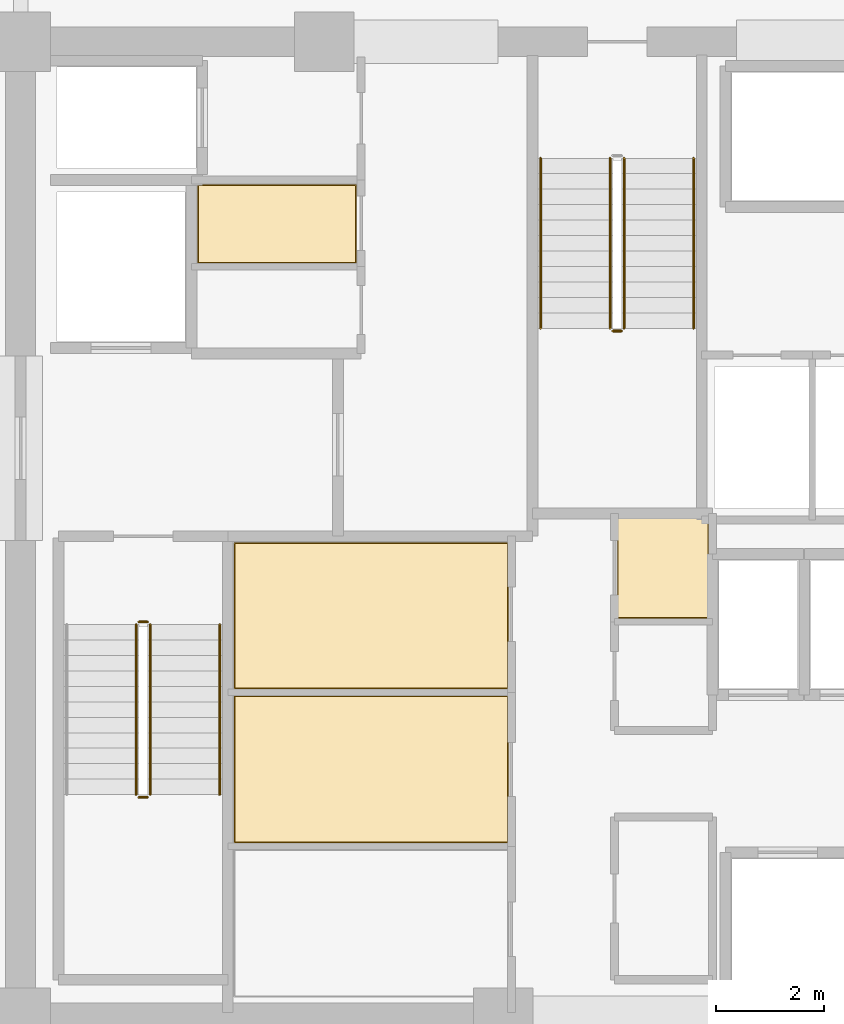
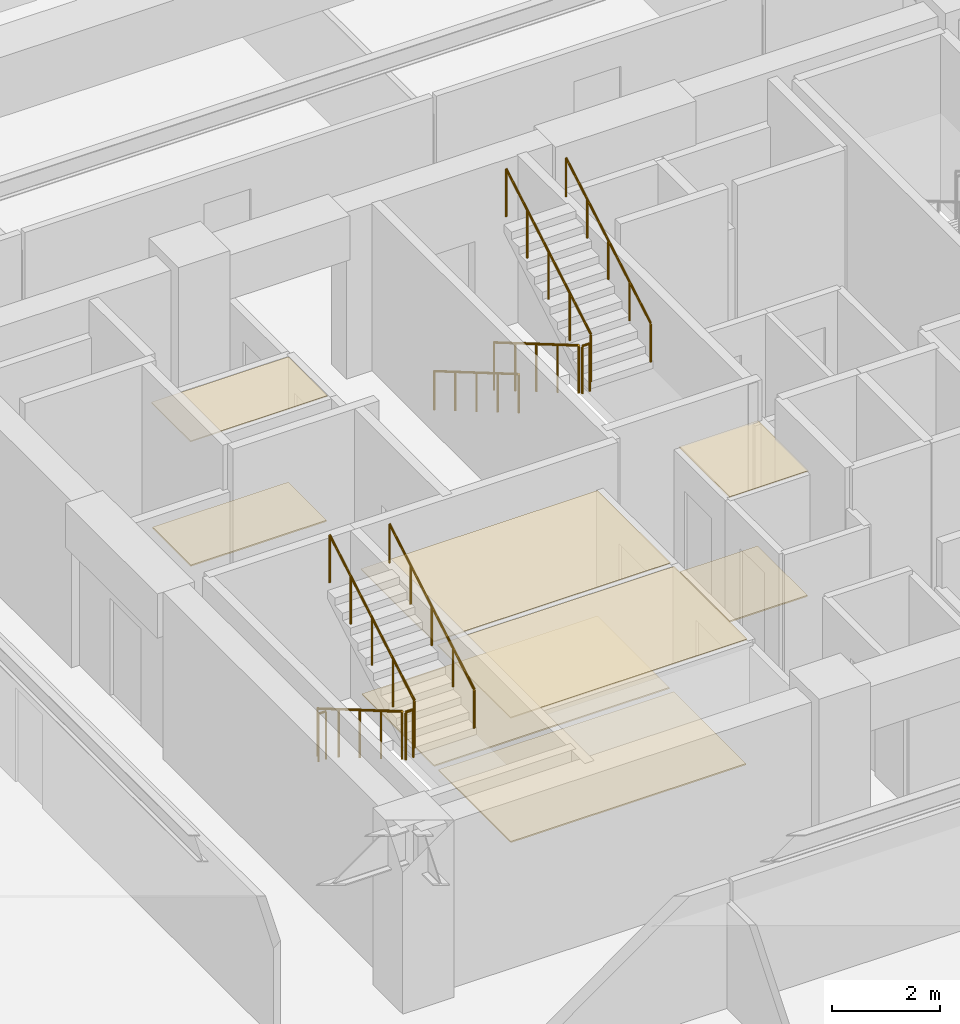
# One storey, part 20 of 23: 10 railings, 8 coverings.
"""IFC4 building model written with IfcOpenShell, lengths in metres."""

from ifc_helpers import new_model, si_unit, direction, frame, origin, origin_2d, place, context, subcontext, project, spatial, polyline, circle, outline, extrude, material, layer, layer_set, type_object, element, save


model = new_model("IFC4")

# Units and contexts
model_context = context("Model", 3, precision=1e-05, world=origin(), true_north=direction((0.0, 1.0)))
body_context = subcontext(model_context, "Body", "Model", "MODEL_VIEW")
ifc_project = project(units=[si_unit("LENGTHUNIT", "METRE"), si_unit("AREAUNIT", "SQUARE_METRE"), si_unit("VOLUMEUNIT", "CUBIC_METRE"), si_unit("PLANEANGLEUNIT", "RADIAN"), si_unit("MASSUNIT", "GRAM", prefix="KILO")], contexts=[model_context])

# Site, building, storey
site_placement = place(None, origin())
site = spatial("IfcSite", under=ifc_project, at=site_placement, CompositionType="ELEMENT")
building_placement = place(site_placement, origin())
building = spatial("IfcBuilding", under=site, at=building_placement, Name="Kovane Verandah Tower", CompositionType="ELEMENT")
storey_placement = place(building_placement, frame((0.0, 0.0, 148.39990234375)))
storey = spatial("IfcBuildingStorey", under=building, at=storey_placement, Name="L34", CompositionType="ELEMENT", Elevation=148.39990234375)

# Coverings
ifc_material_1 = material(Name="Perforated Acoustic Mineral-Fibre Ceiling Tile", Category="gypsum")
ifc_layer_1 = layer(ifc_material_1, 0.02490234375)
ifc_layer_set_1 = layer_set([ifc_layer_1], Name="Perforated Acoustic Mineral-Fibre Ceiling Tile")
covering_type_1 = type_object("IfcCoveringType", Name="CV-CEIL-25", PredefinedType="CEILING", material=ifc_layer_set_1)
covering_1_placement = place(storey_placement, frame((0.0, 0.0, 2.8251953125)))
element("IfcCovering", 1, at=covering_1_placement, inside=storey, type_object=covering_type_1, Name="L34 First Aid and Wellness Room Acoustic Ceiling", PredefinedType="CEILING", context=body_context, shape_type="SweptSolid", body=[
    extrude(outline(polyline([(32.93505859375, 21.72509765625), (37.9951171875, 21.72509765625), (37.9951171875, 24.43505859375), (32.93505859375, 24.43505859375), (32.93505859375, 21.72509765625)])), origin(), (0.0, 0.0, 1.0), 0.02490234375),
])
covering_2_placement = place(storey_placement, frame((0.0, 0.0, 2.8251953125)))
element("IfcCovering", 2, at=covering_2_placement, inside=storey, type_object=covering_type_1, Name="L34 Tea and Copy Hub Acoustic Ceiling", PredefinedType="CEILING", context=body_context, shape_type="SweptSolid", body=[
    extrude(outline(polyline([(32.93505859375, 24.56494140625), (37.9951171875, 24.56494140625), (37.9951171875, 27.264892578125), (32.93505859375, 27.264892578125), (32.93505859375, 24.56494140625)])), origin(), (0.0, 0.0, 1.0), 0.02490234375),
])
covering_3_placement = place(storey_placement, frame((0.0, 0.0, 2.8251953125)))
element("IfcCovering", 3, at=covering_3_placement, inside=storey, type_object=covering_type_1, Name="L34 North-West First Aid Room Acoustic Ceiling", PredefinedType="CEILING", context=body_context, shape_type="SweptSolid", body=[
    extrude(outline(polyline([(32.264892578125, 32.4150390625), (35.195068359375, 32.4150390625), (35.195068359375, 33.864990234375), (32.264892578125, 33.864990234375), (32.264892578125, 32.4150390625)])), origin(), (0.0, 0.0, 1.0), 0.02490234375),
])
covering_4_placement = place(storey_placement, frame((0.0, 0.0, 2.8251953125)))
element("IfcCovering", 4, at=covering_4_placement, inside=storey, type_object=covering_type_1, Name="L34 Central First Aid and Wellness Room Acoustic Ceiling", PredefinedType="CEILING", context=body_context, shape_type="SweptSolid", body=[
    extrude(outline(polyline([(40.0048828125, 25.864990234375), (41.695068359375, 25.864990234375), (41.695068359375, 27.735107421875), (40.0048828125, 27.735107421875), (40.0048828125, 25.864990234375)])), origin(), (0.0, 0.0, 1.0), 0.02490234375),
])
ifc_material_2 = material(Name="Polished Terrazzo and Raised-Access Carpet Tile Finish", Category="concrete")
ifc_layer_2 = layer(ifc_material_2, 0.030029296875)
ifc_layer_set_2 = layer_set([ifc_layer_2], Name="Polished Terrazzo and Raised-Access Carpet Tile Finish")
covering_type_2 = type_object("IfcCoveringType", Name="CV-FLOR-30", PredefinedType="FLOORING", material=ifc_layer_set_2)
covering_5_placement = place(storey_placement, origin())
element("IfcCovering", 5, at=covering_5_placement, inside=storey, type_object=covering_type_2, Name="L34 First Aid and Wellness Room Floor Finish", PredefinedType="FLOORING", context=body_context, shape_type="SweptSolid", body=[
    extrude(outline(polyline([(32.949951171875, 21.739990234375), (37.97998046875, 21.739990234375), (37.97998046875, 24.419921875), (32.949951171875, 24.419921875), (32.949951171875, 21.739990234375)])), origin(), (0.0, 0.0, 1.0), 0.030029296875),
])
covering_6_placement = place(storey_placement, origin())
element("IfcCovering", 6, at=covering_6_placement, inside=storey, type_object=covering_type_2, Name="L34 Tea and Copy Hub Floor Finish", PredefinedType="FLOORING", context=body_context, shape_type="SweptSolid", body=[
    extrude(outline(polyline([(32.949951171875, 24.580078125), (37.97998046875, 24.580078125), (37.97998046875, 27.25), (32.949951171875, 27.25), (32.949951171875, 24.580078125)])), origin(), (0.0, 0.0, 1.0), 0.030029296875),
])
covering_7_placement = place(storey_placement, origin())
element("IfcCovering", 7, at=covering_7_placement, inside=storey, type_object=covering_type_2, Name="L34 North-West First Aid Room Floor Finish", PredefinedType="FLOORING", context=body_context, shape_type="SweptSolid", body=[
    extrude(outline(polyline([(32.280029296875, 32.429931640625), (35.179931640625, 32.429931640625), (35.179931640625, 33.85009765625), (32.280029296875, 33.85009765625), (32.280029296875, 32.429931640625)])), origin(), (0.0, 0.0, 1.0), 0.030029296875),
])
covering_8_placement = place(storey_placement, origin())
element("IfcCovering", 8, at=covering_8_placement, inside=storey, type_object=covering_type_2, Name="L34 Central First Aid and Wellness Room Floor Finish", PredefinedType="FLOORING", context=body_context, shape_type="SweptSolid", body=[
    extrude(outline(polyline([(40.02001953125, 25.8798828125), (41.679931640625, 25.8798828125), (41.679931640625, 27.719970703125), (40.02001953125, 27.719970703125), (40.02001953125, 25.8798828125)])), origin(), (0.0, 0.0, 1.0), 0.030029296875),
])

# Railings
ifc_material_3 = material(Name="Brushed Stainless Steel Handrail", Category="steel")
railing_type_1 = type_object("IfcRailingType", Name="RL-HAND-920", PredefinedType="HANDRAIL", material=ifc_material_3)
railing_1_placement = place(storey_placement, frame((32.669921875, 22.614990234375, 2.166748046875)))
element("IfcRailing", 9, at=railing_1_placement, inside=storey, type_object=railing_type_1, Name="L34 ST-01 stair handrail 2", PredefinedType="HANDRAIL", context=body_context, shape_type="SweptSolid", body=[
    extrude(circle(Radius=0.02392578125, at=origin_2d()), frame((0.0, 0.0, 0.8759765625), z_axis=(0.0, 0.863239559939, 0.504794475164), x_axis=(-1.0, 0.0, 0.0)), (0.0, 0.0, 1.0), 3.631591796875),
    extrude(circle(Radius=0.02099609375, at=origin_2d()), origin(), (0.0, 0.0, 1.0), 0.851806640625),
    extrude(circle(Radius=0.02099609375, at=origin_2d()), frame((0.0, 0.78369140625, 0.458251953125)), (0.0, 0.0, 1.0), 0.851806640625),
    extrude(circle(Radius=0.02099609375, at=origin_2d()), frame((0.0, 1.5673828125, 0.91650390625)), (0.0, 0.0, 1.0), 0.851806640625),
    extrude(circle(Radius=0.02099609375, at=origin_2d()), frame((0.0, 2.351318359375, 1.375)), (0.0, 0.0, 1.0), 0.851806640625),
    extrude(circle(Radius=0.02099609375, at=origin_2d()), frame((0.0, 3.135009765625, 1.833251953125)), (0.0, 0.0, 1.0), 0.851806640625),
])
railing_2_placement = place(storey_placement, frame((38.590087890625, 34.35009765625, 0.166748046875)))
element("IfcRailing", 10, at=railing_2_placement, inside=storey, type_object=railing_type_1, Name="L34 ST-03 stair handrail 1", PredefinedType="HANDRAIL", context=body_context, shape_type="SweptSolid", body=[
    extrude(circle(Radius=0.02392578125, at=origin_2d()), frame((0.0, 0.0, 0.8759765625), z_axis=(0.0, -0.863239559939, 0.504794475164), x_axis=(1.0, 0.0, 0.0)), (0.0, 0.0, 1.0), 3.631591796875),
    extrude(circle(Radius=0.02099609375, at=origin_2d()), origin(), (0.0, 0.0, 1.0), 0.851806640625),
    extrude(circle(Radius=0.02099609375, at=origin_2d()), frame((0.0, -0.78369140625, 0.458251953125)), (0.0, 0.0, 1.0), 0.851806640625),
    extrude(circle(Radius=0.02099609375, at=origin_2d()), frame((0.0, -1.5673828125, 0.91650390625)), (0.0, 0.0, 1.0), 0.851806640625),
    extrude(circle(Radius=0.02099609375, at=origin_2d()), frame((0.0, -2.351318359375, 1.375)), (0.0, 0.0, 1.0), 0.851806640625),
    extrude(circle(Radius=0.02099609375, at=origin_2d()), frame((0.0, -3.135009765625, 1.833251953125)), (0.0, 0.0, 1.0), 0.851806640625),
])
railing_3_placement = place(storey_placement, frame((41.409912109375, 31.215087890625, 2.166748046875)))
element("IfcRailing", 11, at=railing_3_placement, inside=storey, type_object=railing_type_1, Name="L34 ST-03 stair handrail 2", PredefinedType="HANDRAIL", context=body_context, shape_type="SweptSolid", body=[
    extrude(circle(Radius=0.02392578125, at=origin_2d()), frame((0.0, 0.0, 0.8759765625), z_axis=(0.0, 0.863239559939, 0.504794475164), x_axis=(-1.0, 0.0, 0.0)), (0.0, 0.0, 1.0), 3.631591796875),
    extrude(circle(Radius=0.02099609375, at=origin_2d()), origin(), (0.0, 0.0, 1.0), 0.851806640625),
    extrude(circle(Radius=0.02099609375, at=origin_2d()), frame((0.0, 0.78369140625, 0.458251953125)), (0.0, 0.0, 1.0), 0.851806640625),
    extrude(circle(Radius=0.02099609375, at=origin_2d()), frame((0.0, 1.5673828125, 0.91650390625)), (0.0, 0.0, 1.0), 0.851806640625),
    extrude(circle(Radius=0.02099609375, at=origin_2d()), frame((0.0, 2.351318359375, 1.375)), (0.0, 0.0, 1.0), 0.851806640625),
    extrude(circle(Radius=0.02099609375, at=origin_2d()), frame((0.0, 3.135009765625, 1.833251953125)), (0.0, 0.0, 1.0), 0.851806640625),
])
ifc_material_4 = material(Name="Painted Steel Stairwell Guardrail", Category="steel")
railing_type_2 = type_object("IfcRailingType", Name="RL-STGUARD-1120", PredefinedType="GUARDRAIL", material=ifc_material_4)
railing_4_placement = place(storey_placement, frame((31.1298828125, 25.75, 0.166748046875)))
element("IfcRailing", 12, at=railing_4_placement, inside=storey, type_object=railing_type_2, Name="L34 ST-01 stair guard 1", PredefinedType="GUARDRAIL", context=body_context, shape_type="SweptSolid", body=[
    extrude(circle(Radius=0.02392578125, at=origin_2d()), frame((0.0, 0.0, 1.076171875), z_axis=(0.0, -0.863239559939, 0.504794475164), x_axis=(1.0, 0.0, 0.0)), (0.0, 0.0, 1.0), 3.631591796875),
    extrude(circle(Radius=0.02099609375, at=origin_2d()), origin(), (0.0, 0.0, 1.0), 1.052001953125),
    extrude(circle(Radius=0.02099609375, at=origin_2d()), frame((0.0, -0.78369140625, 0.458251953125)), (0.0, 0.0, 1.0), 1.052001953125),
    extrude(circle(Radius=0.02099609375, at=origin_2d()), frame((0.0, -1.5673828125, 0.91650390625)), (0.0, 0.0, 1.0), 1.052001953125),
    extrude(circle(Radius=0.02099609375, at=origin_2d()), frame((0.0, -2.351318359375, 1.375)), (0.0, 0.0, 1.0), 1.052001953125),
    extrude(circle(Radius=0.02099609375, at=origin_2d()), frame((0.0, -3.135009765625, 1.833251953125)), (0.0, 0.0, 1.0), 1.052001953125),
])
railing_5_placement = place(storey_placement, frame((31.179931640625, 22.56494140625, 2.0)))
element("IfcRailing", 13, at=railing_5_placement, inside=storey, type_object=railing_type_2, Name="L34 ST-01 stair guard 2", PredefinedType="GUARDRAIL", context=body_context, shape_type="SweptSolid", body=[
    extrude(circle(Radius=0.02392578125, at=origin_2d()), frame((0.0, 0.0, 1.076171875), z_axis=(1.0, 0.0, 0.0), x_axis=(0.0, 1.0, 0.0)), (0.0, 0.0, 1.0), 0.16015625),
    extrude(circle(Radius=0.02099609375, at=origin_2d()), origin(), (0.0, 0.0, 1.0), 1.052001953125),
    extrude(circle(Radius=0.02099609375, at=origin_2d()), frame((0.16015625, 0.0, 0.0)), (0.0, 0.0, 1.0), 1.052001953125),
])
railing_6_placement = place(storey_placement, frame((31.389892578125, 22.614990234375, 2.166748046875)))
element("IfcRailing", 14, at=railing_6_placement, inside=storey, type_object=railing_type_2, Name="L34 ST-01 stair guard 3", PredefinedType="GUARDRAIL", context=body_context, shape_type="SweptSolid", body=[
    extrude(circle(Radius=0.02392578125, at=origin_2d()), frame((0.0, 0.0, 1.076171875), z_axis=(0.0, 0.863239559939, 0.504794475164), x_axis=(-1.0, 0.0, 0.0)), (0.0, 0.0, 1.0), 3.631591796875),
    extrude(circle(Radius=0.02099609375, at=origin_2d()), origin(), (0.0, 0.0, 1.0), 1.052001953125),
    extrude(circle(Radius=0.02099609375, at=origin_2d()), frame((0.0, 0.78369140625, 0.458251953125)), (0.0, 0.0, 1.0), 1.052001953125),
    extrude(circle(Radius=0.02099609375, at=origin_2d()), frame((0.0, 1.5673828125, 0.91650390625)), (0.0, 0.0, 1.0), 1.052001953125),
    extrude(circle(Radius=0.02099609375, at=origin_2d()), frame((0.0, 2.351318359375, 1.375)), (0.0, 0.0, 1.0), 1.052001953125),
    extrude(circle(Radius=0.02099609375, at=origin_2d()), frame((0.0, 3.135009765625, 1.833251953125)), (0.0, 0.0, 1.0), 1.052001953125),
])
railing_7_placement = place(storey_placement, frame((31.179931640625, 25.800048828125, 0.0)))
element("IfcRailing", 15, at=railing_7_placement, inside=storey, type_object=railing_type_2, Name="L34 ST-01 stair guard 4", PredefinedType="GUARDRAIL", context=body_context, shape_type="SweptSolid", body=[
    extrude(circle(Radius=0.02392578125, at=origin_2d()), frame((0.0, 0.0, 1.076171875), z_axis=(1.0, 0.0, 0.0), x_axis=(0.0, 1.0, 0.0)), (0.0, 0.0, 1.0), 0.16015625),
    extrude(circle(Radius=0.02099609375, at=origin_2d()), origin(), (0.0, 0.0, 1.0), 1.052001953125),
    extrude(circle(Radius=0.02099609375, at=origin_2d()), frame((0.16015625, 0.0, 0.0)), (0.0, 0.0, 1.0), 1.052001953125),
])
railing_8_placement = place(storey_placement, frame((39.8701171875, 34.35009765625, 0.166748046875)))
element("IfcRailing", 16, at=railing_8_placement, inside=storey, type_object=railing_type_2, Name="L34 ST-03 stair guard 1", PredefinedType="GUARDRAIL", context=body_context, shape_type="SweptSolid", body=[
    extrude(circle(Radius=0.02392578125, at=origin_2d()), frame((0.0, 0.0, 1.076171875), z_axis=(0.0, -0.863239559939, 0.504794475164), x_axis=(1.0, 0.0, 0.0)), (0.0, 0.0, 1.0), 3.631591796875),
    extrude(circle(Radius=0.02099609375, at=origin_2d()), origin(), (0.0, 0.0, 1.0), 1.052001953125),
    extrude(circle(Radius=0.02099609375, at=origin_2d()), frame((0.0, -0.78369140625, 0.458251953125)), (0.0, 0.0, 1.0), 1.052001953125),
    extrude(circle(Radius=0.02099609375, at=origin_2d()), frame((0.0, -1.5673828125, 0.91650390625)), (0.0, 0.0, 1.0), 1.052001953125),
    extrude(circle(Radius=0.02099609375, at=origin_2d()), frame((0.0, -2.351318359375, 1.375)), (0.0, 0.0, 1.0), 1.052001953125),
    extrude(circle(Radius=0.02099609375, at=origin_2d()), frame((0.0, -3.135009765625, 1.833251953125)), (0.0, 0.0, 1.0), 1.052001953125),
])
railing_9_placement = place(storey_placement, frame((39.919921875, 31.1650390625, 2.0)))
element("IfcRailing", 17, at=railing_9_placement, inside=storey, type_object=railing_type_2, Name="L34 ST-03 stair guard 2", PredefinedType="GUARDRAIL", context=body_context, shape_type="SweptSolid", body=[
    extrude(circle(Radius=0.02392578125, at=origin_2d()), frame((0.0, 0.0, 1.076171875), z_axis=(1.0, 0.0, 0.0), x_axis=(0.0, 1.0, 0.0)), (0.0, 0.0, 1.0), 0.16015625),
    extrude(circle(Radius=0.02099609375, at=origin_2d()), origin(), (0.0, 0.0, 1.0), 1.052001953125),
    extrude(circle(Radius=0.02099609375, at=origin_2d()), frame((0.16015625, 0.0, 0.0)), (0.0, 0.0, 1.0), 1.052001953125),
])
railing_10_placement = place(storey_placement, frame((40.1298828125, 31.215087890625, 2.166748046875)))
element("IfcRailing", 18, at=railing_10_placement, inside=storey, type_object=railing_type_2, Name="L34 ST-03 stair guard 3", PredefinedType="GUARDRAIL", context=body_context, shape_type="SweptSolid", body=[
    extrude(circle(Radius=0.02392578125, at=origin_2d()), frame((0.0, 0.0, 1.076171875), z_axis=(0.0, 0.863239559939, 0.504794475164), x_axis=(-1.0, 0.0, 0.0)), (0.0, 0.0, 1.0), 3.631591796875),
    extrude(circle(Radius=0.02099609375, at=origin_2d()), origin(), (0.0, 0.0, 1.0), 1.052001953125),
    extrude(circle(Radius=0.02099609375, at=origin_2d()), frame((0.0, 0.78369140625, 0.458251953125)), (0.0, 0.0, 1.0), 1.052001953125),
    extrude(circle(Radius=0.02099609375, at=origin_2d()), frame((0.0, 1.5673828125, 0.91650390625)), (0.0, 0.0, 1.0), 1.052001953125),
    extrude(circle(Radius=0.02099609375, at=origin_2d()), frame((0.0, 2.351318359375, 1.375)), (0.0, 0.0, 1.0), 1.052001953125),
    extrude(circle(Radius=0.02099609375, at=origin_2d()), frame((0.0, 3.135009765625, 1.833251953125)), (0.0, 0.0, 1.0), 1.052001953125),
])

save(model, "model.ifc")
